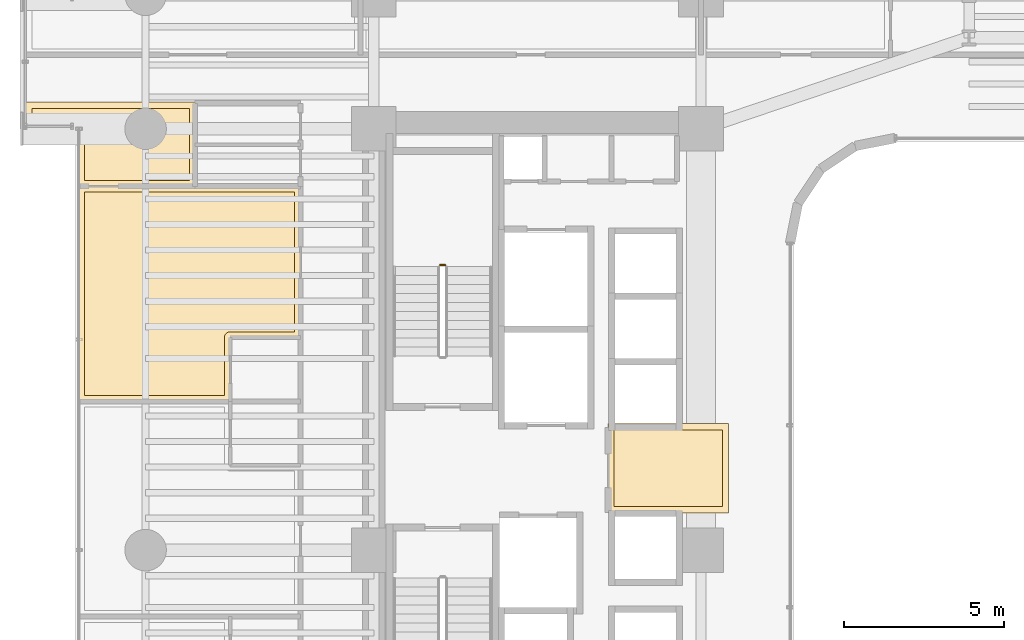
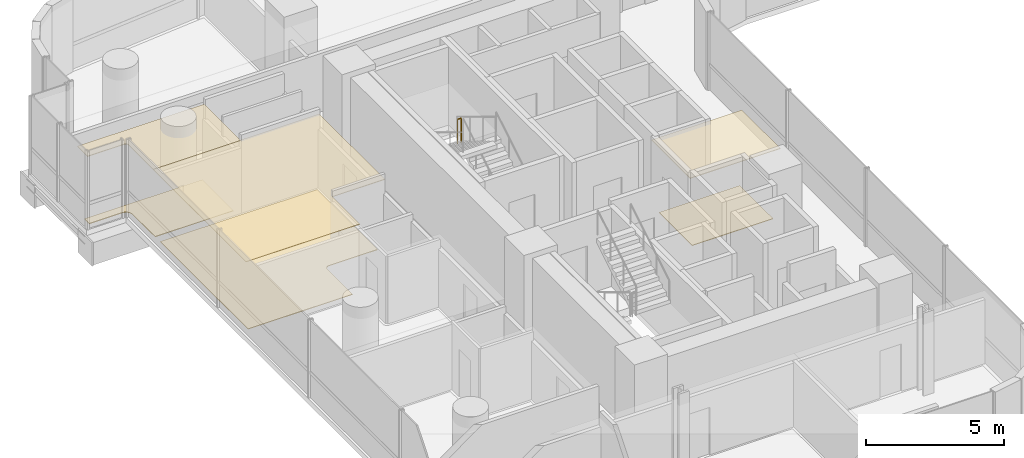
# One storey, part 38 of 41: 6 coverings, 1 railing.
"""IFC4 building model written with IfcOpenShell, lengths in metres."""

import ifcopenshell
import ifcopenshell.guid

model = None  # the IFC model being written
_history = None  # IfcOwnerHistory: only IFC2X3 demands one
_inside = {}  # id of a spatial element -> (the spatial element, [elements in it])
_under = {}  # id of a project, library or spatial element -> (it, [spatial elements below it])
_declared = {}  # id of a project -> (the project, [libraries it declares])
_typed = {}  # id of a type object -> (the type object, [elements of that type])
_made_of = {}  # id of a material, layer set ... -> (it, [elements and type objects made of it])


def new_model(schema):
    """Start an empty IFC model of exactly this schema.

    Asked for "IFC4X3", IfcOpenShell would pick the latest addendum, in which some entities
    have other attributes; the version numbers below select the first issue.
    IFC2X3 requires an IfcOwnerHistory on every rooted entity: one is made here for all.
    """
    global model, _history
    if schema == "IFC4X3":
        model = ifcopenshell.file(schema_version=(4, 3, 0, 0))
    else:
        model = ifcopenshell.file(schema=schema)
    _inside.clear()
    _under.clear()
    _declared.clear()
    _typed.clear()
    _made_of.clear()
    _history = None
    if model.schema == "IFC2X3":
        org = make("IfcOrganization", Name="unknown")
        user = make(
            "IfcPersonAndOrganization",
            ThePerson=make("IfcPerson", FamilyName="unknown"),
            TheOrganization=org,
        )
        app = make(
            "IfcApplication",
            ApplicationDeveloper=org,
            Version="unknown",
            ApplicationFullName="unknown",
            ApplicationIdentifier="unknown",
        )
        _history = make(
            "IfcOwnerHistory",
            OwningUser=user,
            OwningApplication=app,
            ChangeAction="ADDED",
            CreationDate=0,
        )
    return model


def make(cls, **values):
    """One entity of the class cls with the attributes given. An attribute that is None is left unset."""
    return model.create_entity(
        cls, **{name: value for name, value in values.items() if value is not None}
    )


def rooted(cls, **values):
    """An entity with a GlobalId (a new one), such as an element, a storey or a relation."""
    return make(cls, GlobalId=ifcopenshell.guid.new(), OwnerHistory=_history, **values)


def si_unit(unit_type, name, prefix=None):
    """IfcSIUnit, for example si_unit("LENGTHUNIT", "METRE", prefix="MILLI")."""
    return make("IfcSIUnit", UnitType=unit_type, Prefix=prefix, Name=name)


def assignment(units):
    """IfcUnitAssignment: the units of a project."""
    return None if units is None else make("IfcUnitAssignment", Units=units)


def point(xyz):
    """IfcCartesianPoint."""
    return None if xyz is None else make("IfcCartesianPoint", Coordinates=xyz)


def direction(xyz):
    """IfcDirection."""
    return None if xyz is None else make("IfcDirection", DirectionRatios=xyz)


def frame(location, z_axis=None, x_axis=None):
    """IfcAxis2Placement3D, a coordinate frame: its origin and axes. An axis left out is left unset."""
    return make(
        "IfcAxis2Placement3D",
        Location=point(location),
        Axis=direction(z_axis),
        RefDirection=direction(x_axis),
    )


def frame_2d(location, x_axis=None):
    """IfcAxis2Placement2D, a coordinate frame in the plane: its origin and x axis."""
    return make(
        "IfcAxis2Placement2D", Location=point(location), RefDirection=direction(x_axis)
    )


def origin():
    """The frame at (0, 0, 0) with its axes left unset."""
    return frame((0.0, 0.0, 0.0))


def origin_2d():
    """The frame at (0, 0) in the plane with its x axis left unset."""
    return frame_2d((0.0, 0.0))


def place(relative_to, where):
    """IfcLocalPlacement: puts the frame where relative to a parent placement (None: the world)."""
    return make(
        "IfcLocalPlacement", PlacementRelTo=relative_to, RelativePlacement=where
    )


def context(
    kind, dimensions, precision=None, world=None, true_north=None, identifier=None
):
    """IfcGeometricRepresentationContext, for example the 3D "Model" context."""
    return make(
        "IfcGeometricRepresentationContext",
        ContextIdentifier=identifier,
        ContextType=kind,
        CoordinateSpaceDimension=dimensions,
        Precision=precision,
        WorldCoordinateSystem=world,
        TrueNorth=true_north,
    )


def subcontext(parent, identifier, kind, view, scale=None):
    """IfcGeometricRepresentationSubContext, for example "Body" below "Model"."""
    return make(
        "IfcGeometricRepresentationSubContext",
        ContextIdentifier=identifier,
        ContextType=kind,
        ParentContext=parent,
        TargetScale=scale,
        TargetView=view,
    )


def project(units=None, contexts=None):
    """IfcProject with its units and contexts."""
    return rooted(
        "IfcProject",
        Name="project",
        RepresentationContexts=contexts,
        UnitsInContext=assignment(units),
    )


def spatial(cls, under=None, at=None, **own):
    """A site, building, storey or space (cls), placed at a placement, below another one or the project."""
    s = rooted(cls, ObjectPlacement=at, **own)
    if under is not None:
        _under.setdefault(under.id(), (under, []))[1].append(s)
    return s


def polyline(points):
    """IfcPolyline through the points."""
    return make("IfcPolyline", Points=[point(p) for p in points])


def profile(cls, at=None, kind="AREA", **sizes):
    """A parametric profile (cls). Its sizes go by their IFC names, for example OverallWidth=200.0."""
    return make(cls, ProfileType=kind, Position=at, **sizes)


def circle(**sizes):
    """IfcCircleProfileDef."""
    return profile("IfcCircleProfileDef", **sizes)


def outline(outer, holes=None, kind="AREA"):
    """IfcArbitraryClosedProfileDef: a profile drawn as a closed curve; with holes, ...WithVoids."""
    if holes is None:
        return make("IfcArbitraryClosedProfileDef", ProfileType=kind, OuterCurve=outer)
    return make(
        "IfcArbitraryProfileDefWithVoids",
        ProfileType=kind,
        OuterCurve=outer,
        InnerCurves=holes,
    )


def extrude(swept, where, along, depth):
    """IfcExtrudedAreaSolid: the profile swept, set in the frame where, extruded along a direction by depth."""
    return make(
        "IfcExtrudedAreaSolid",
        SweptArea=swept,
        Position=where,
        ExtrudedDirection=direction(along),
        Depth=depth,
    )


def shape(context_of_items, identifier, shape_type, items):
    """IfcShapeRepresentation: the items that make up one representation, for example the "Body"."""
    return make(
        "IfcShapeRepresentation",
        ContextOfItems=context_of_items,
        RepresentationIdentifier=identifier,
        RepresentationType=shape_type,
        Items=items,
    )


def material(Name=None, Category=None):
    """IfcMaterial."""
    return make("IfcMaterial", Name=Name, Category=Category)


def layer(
    of_material, thickness, ventilated=None, Name=None, Category=None, Priority=None
):
    """IfcMaterialLayer: one layer of a wall or slab, of a material (None: an air gap)."""
    return make(
        "IfcMaterialLayer",
        Material=of_material,
        LayerThickness=thickness,
        IsVentilated=ventilated,
        Name=Name,
        Category=Category,
        Priority=Priority,
    )


def layer_set(layers, Name=None):
    """IfcMaterialLayerSet."""
    return make("IfcMaterialLayerSet", MaterialLayers=layers, LayerSetName=Name)


def made_of(thing, what):
    """Note that an element or type object is made of a material, layer set ...; save() writes the relation."""
    if what is not None:
        _made_of.setdefault(what.id(), (what, []))[1].append(thing)
    return thing


def type_object(cls, material=None, **own):
    """A type object (cls), such as IfcWallType, which elements share."""
    return made_of(rooted(cls, **own), material)


def element(
    cls,
    number,
    at=None,
    inside=None,
    cuts=None,
    type_object=None,
    material=None,
    context=None,
    identifier="Body",
    shape_type=None,
    held_by="IfcProductDefinitionShape",
    body=None,
    shapes=None,
    **own,
):
    """One element of the class cls, such as IfcWall. Its Tag is "e" and its number.

    at: its placement. inside: the storey or other place that contains it. cuts: it is an
    opening in that element (IfcRelVoidsElement). A single representation is given by context,
    identifier, shape_type and body (its items); several are given by shapes. held_by: the class
    of the entity that holds the representations. save() writes the other relations.
    """
    e = rooted(cls, Tag="e%d" % number, ObjectPlacement=at, **own)
    if body is not None:
        shapes = [shape(context, identifier, shape_type, body)]
    if shapes is not None:
        e.Representation = make(held_by, Representations=shapes)
    if inside is not None:
        _inside.setdefault(inside.id(), (inside, []))[1].append(e)
    if cuts is not None:
        rooted(
            "IfcRelVoidsElement", RelatingBuildingElement=cuts, RelatedOpeningElement=e
        )
    if type_object is not None:
        _typed.setdefault(type_object.id(), (type_object, []))[1].append(e)
    return made_of(e, material)


def aggregate(whole, parts):
    """IfcRelAggregates: a whole, such as a stair, and the parts it consists of."""
    return rooted("IfcRelAggregates", RelatingObject=whole, RelatedObjects=parts)


def save(model, path):
    """Write the relations noted so far, then the file.

    IfcRelAggregates (storeys below a building ...), IfcRelContainedInSpatialStructure (elements
    in a storey), IfcRelDefinesByType, IfcRelAssociatesMaterial and IfcRelDeclares: one each for
    every whole, place, type object, material and project.
    """
    for whole, parts in _under.values():
        aggregate(whole, parts)
    for where, things in _inside.values():
        rooted(
            "IfcRelContainedInSpatialStructure",
            RelatedElements=things,
            RelatingStructure=where,
        )
    for kind, things in _typed.values():
        rooted("IfcRelDefinesByType", RelatedObjects=things, RelatingType=kind)
    for what, things in _made_of.values():
        rooted("IfcRelAssociatesMaterial", RelatedObjects=things, RelatingMaterial=what)
    for by, libraries in _declared.values():
        rooted("IfcRelDeclares", RelatingContext=by, RelatedDefinitions=libraries)
    model.write(path)


model = new_model("IFC4")

# Units and contexts
model_context = context("Model", 3, precision=1e-05, world=origin(), true_north=direction((0.0, 1.0)))
body_context = subcontext(model_context, "Body", "Model", "MODEL_VIEW")
ifc_project = project(units=[si_unit("LENGTHUNIT", "METRE"), si_unit("AREAUNIT", "SQUARE_METRE"), si_unit("VOLUMEUNIT", "CUBIC_METRE"), si_unit("PLANEANGLEUNIT", "RADIAN"), si_unit("MASSUNIT", "GRAM", prefix="KILO")], contexts=[model_context])

# Site, building, storey
site_placement = place(None, origin())
site = spatial("IfcSite", under=ifc_project, at=site_placement, CompositionType="ELEMENT")
building_placement = place(site_placement, origin())
building = spatial("IfcBuilding", under=site, at=building_placement, Name="Valdorenza Pilgrim Sanctuary Tower", CompositionType="ELEMENT")
storey_placement = place(building_placement, frame((0.0, 0.0, 85.199951171875)))
storey = spatial("IfcBuildingStorey", under=building, at=storey_placement, Name="L21", CompositionType="ELEMENT", Elevation=85.199951171875)

# Coverings
ifc_material_1 = material(Name="Micro-perforated acoustic mineral ceiling tile", Category="gypsum")
ifc_layer_1 = layer(ifc_material_1, 0.02490234375, Name="Micro-perforated acoustic mineral ceiling tile")
ifc_layer_set_1 = layer_set([ifc_layer_1], Name="Micro-perforated acoustic mineral ceiling tile")
covering_type_1 = type_object("IfcCoveringType", Name="COV-CLG-ACU", PredefinedType="CEILING", material=ifc_layer_set_1)
covering_1_placement = place(storey_placement, frame((0.0, 0.0, 3.16015625)))
element("IfcCovering", 1, at=covering_1_placement, inside=storey, type_object=covering_type_1, Name="L21 Core A Passenger Lift Lobby Acoustic Ceiling", PredefinedType="CEILING", context=body_context, shape_type="SweptSolid", body=[
    extrude(outline(polyline([(-15.31298828125, 1.244384765625), (-15.31298828125, 1.24462890625), (-15.313720703125, 1.24609375), (-15.314208984375, 1.24755859375), (-15.314697265625, 1.2490234375), (-15.31494140625, 1.25048828125), (-15.31494140625, 1.251953125), (-15.31494140625, 1.35009765625), (-15.31494140625, 1.3515625), (-15.314697265625, 1.352783203125), (-15.314453125, 1.3544921875), (-15.31396484375, 1.355712890625), (-15.313232421875, 1.357177734375), (-15.3125, 1.3583984375), (-15.3115234375, 1.359619140625), (-15.310546875, 1.360595703125), (-15.3095703125, 1.361572265625), (-15.308349609375, 1.362548828125), (-15.30712890625, 1.36328125), (-15.3056640625, 1.364013671875), (-15.304443359375, 1.364501953125), (-15.302978515625, 1.36474609375), (-15.301513671875, 1.364990234375), (-15.300048828125, 1.364990234375), (-15.10205078125, 1.364990234375), (-15.1005859375, 1.364990234375), (-15.09912109375, 1.36474609375), (-15.097412109375, 1.3642578125), (-15.09619140625, 1.36376953125), (-15.0947265625, 1.363037109375), (-15.094482421875, 1.363037109375), (-13.185546875, 1.363037109375), (-13.185302734375, 1.363037109375), (-13.183837890625, 1.36376953125), (-13.1826171875, 1.3642578125), (-13.180908203125, 1.36474609375), (-13.179443359375, 1.364990234375), (-13.177978515625, 1.364990234375), (-11.550048828125, 1.364990234375), (-11.548583984375, 1.364990234375), (-11.547119140625, 1.36474609375), (-11.545654296875, 1.364501953125), (-11.544189453125, 1.364013671875), (-11.54296875, 1.36328125), (-11.541748046875, 1.362548828125), (-11.54052734375, 1.361572265625), (-11.539306640625, 1.360595703125), (-11.538330078125, 1.359619140625), (-11.53759765625, 1.3583984375), (-11.536865234375, 1.357177734375), (-11.5361328125, 1.355712890625), (-11.53564453125, 1.3544921875), (-11.535400390625, 1.352783203125), (-11.53515625, 1.3515625), (-11.534912109375, 1.35009765625), (-11.534912109375, -1.419921875), (-11.53515625, -1.42138671875), (-11.535400390625, -1.4228515625), (-11.53564453125, -1.42431640625), (-11.5361328125, -1.42578125), (-11.536865234375, -1.427001953125), (-11.53759765625, -1.42822265625), (-11.538330078125, -1.429443359375), (-11.539306640625, -1.4306640625), (-11.54052734375, -1.431640625), (-11.541748046875, -1.4326171875), (-11.54296875, -1.43310546875), (-11.544189453125, -1.433837890625), (-11.545654296875, -1.434326171875), (-11.547119140625, -1.434814453125), (-11.548583984375, -1.434814453125), (-11.550048828125, -1.43505859375), (-15.298095703125, -1.43505859375), (-15.299560546875, -1.434814453125), (-15.30078125, -1.434814453125), (-15.302490234375, -1.434326171875), (-15.3037109375, -1.433837890625), (-15.30517578125, -1.43310546875), (-15.306396484375, -1.4326171875), (-15.3076171875, -1.431640625), (-15.30859375, -1.4306640625), (-15.3095703125, -1.429443359375), (-15.310546875, -1.42822265625), (-15.311279296875, -1.427001953125), (-15.31201171875, -1.42578125), (-15.3125, -1.42431640625), (-15.312744140625, -1.4228515625), (-15.31298828125, -1.42138671875), (-15.31298828125, -1.419921875), (-15.31298828125, 1.244384765625)])), origin(), (0.0, 0.0, 1.0), 0.02490234375),
])
covering_2_placement = place(storey_placement, frame((0.0, 0.0, 3.16015625)))
element("IfcCovering", 2, at=covering_2_placement, inside=storey, type_object=covering_type_1, Name="L21 Pilgrim Scholar Office L21-WN Acoustic Ceiling", PredefinedType="CEILING", context=body_context, shape_type="SweptSolid", body=[
    extrude(outline(polyline([(-28.237060546875, 11.39453125), (-28.237060546875, 10.103759765625), (-28.23681640625, 10.10302734375), (-28.23681640625, 10.1015625), (-28.23681640625, 10.10009765625), (-28.23681640625, 10.098388671875), (-28.237060546875, 10.09814453125), (-28.237060546875, 8.800048828125), (-28.237060546875, 8.798583984375), (-28.2373046875, 8.797119140625), (-28.237548828125, 8.795654296875), (-28.238037109375, 8.794189453125), (-28.23876953125, 8.79296875), (-28.239501953125, 8.791748046875), (-28.240478515625, 8.79052734375), (-28.241455078125, 8.789306640625), (-28.242431640625, 8.788330078125), (-28.24365234375, 8.78759765625), (-28.244873046875, 8.786865234375), (-28.246337890625, 8.7861328125), (-28.24755859375, 8.78564453125), (-28.2490234375, 8.785400390625), (-28.25048828125, 8.78515625), (-28.251953125, 8.784912109375), (-31.889892578125, 8.784912109375), (-31.8916015625, 8.78515625), (-31.892822265625, 8.785400390625), (-31.894287109375, 8.78564453125), (-31.895751953125, 8.7861328125), (-31.897216796875, 8.786865234375), (-31.898193359375, 8.78759765625), (-31.8994140625, 8.788330078125), (-31.900634765625, 8.789306640625), (-31.901611328125, 8.79052734375), (-31.902587890625, 8.791748046875), (-31.9033203125, 8.79296875), (-31.90380859375, 8.794189453125), (-31.904296875, 8.795654296875), (-31.90478515625, 8.797119140625), (-31.90478515625, 8.798583984375), (-31.905029296875, 8.800048828125), (-31.905029296875, 10.599609375), (-31.905517578125, 10.609375), (-31.90673828125, 10.618408203125), (-31.9091796875, 10.627685546875), (-31.912109375, 10.63623046875), (-31.916259765625, 10.644775390625), (-31.9208984375, 10.65283203125), (-31.926513671875, 10.660400390625), (-31.932861328125, 10.667236328125), (-31.939697265625, 10.67333984375), (-31.947265625, 10.678955078125), (-31.955078125, 10.683837890625), (-31.963623046875, 10.687744140625), (-31.972412109375, 10.69091796875), (-31.9814453125, 10.693115234375), (-31.99072265625, 10.694580078125), (-32.00048828125, 10.695068359375), (-33.5400390625, 10.695068359375), (-33.54150390625, 10.695068359375), (-33.54296875, 10.6953125), (-33.54443359375, 10.695556640625), (-33.545654296875, 10.696044921875), (-33.547119140625, 10.69677734375), (-33.54833984375, 10.697509765625), (-33.549560546875, 10.698486328125), (-33.550537109375, 10.699462890625), (-33.551513671875, 10.700439453125), (-33.552490234375, 10.70166015625), (-33.55322265625, 10.702880859375), (-33.553955078125, 10.704345703125), (-33.554443359375, 10.70556640625), (-33.5546875, 10.70703125), (-33.554931640625, 10.70849609375), (-33.554931640625, 10.7099609375), (-33.554931640625, 11.419921875), (-33.554931640625, 11.42138671875), (-33.5546875, 11.4228515625), (-33.554443359375, 11.42431640625), (-33.553955078125, 11.42578125), (-33.55322265625, 11.427001953125), (-33.552490234375, 11.42822265625), (-33.551513671875, 11.429443359375), (-33.550537109375, 11.4306640625), (-33.549560546875, 11.431640625), (-33.54833984375, 11.4326171875), (-33.547119140625, 11.43310546875), (-33.545654296875, 11.433837890625), (-33.54443359375, 11.434326171875), (-33.54296875, 11.434814453125), (-33.54150390625, 11.434814453125), (-33.5400390625, 11.43505859375), (-28.25, 11.43505859375), (-28.24853515625, 11.434814453125), (-28.2470703125, 11.434814453125), (-28.24560546875, 11.434326171875), (-28.244384765625, 11.433837890625), (-28.242919921875, 11.43310546875), (-28.24169921875, 11.4326171875), (-28.240478515625, 11.431640625), (-28.239501953125, 11.4306640625), (-28.23828125, 11.429443359375), (-28.237548828125, 11.42822265625), (-28.23681640625, 11.427001953125), (-28.236083984375, 11.42578125), (-28.235595703125, 11.42431640625), (-28.2353515625, 11.4228515625), (-28.235107421875, 11.42138671875), (-28.235107421875, 11.419921875), (-28.235107421875, 11.402099609375), (-28.235107421875, 11.400390625), (-28.2353515625, 11.39892578125), (-28.235595703125, 11.3974609375), (-28.236083984375, 11.39599609375), (-28.23681640625, 11.394775390625), (-28.237060546875, 11.39453125)])), origin(), (0.0, 0.0, 1.0), 0.02490234375),
])
covering_3_placement = place(storey_placement, frame((0.0, 0.0, 3.16015625)))
element("IfcCovering", 3, at=covering_3_placement, inside=storey, type_object=covering_type_1, Name="L21 Sanctuary Guest Room L21-W3 Acoustic Ceiling", PredefinedType="CEILING", context=body_context, shape_type="SweptSolid", body=[
    extrude(outline(polyline([(-28.253662109375, 8.81298828125), (-28.253173828125, 8.81298828125), (-28.25146484375, 8.813232421875), (-28.25, 8.813232421875), (-28.24853515625, 8.81298828125), (-28.248291015625, 8.81298828125), (-24.949951171875, 8.81298828125), (-24.948486328125, 8.81298828125), (-24.947021484375, 8.812744140625), (-24.945556640625, 8.8125), (-24.9443359375, 8.81201171875), (-24.94287109375, 8.811279296875), (-24.941650390625, 8.810546875), (-24.9404296875, 8.8095703125), (-24.939453125, 8.80859375), (-24.9384765625, 8.8076171875), (-24.9375, 8.806396484375), (-24.936767578125, 8.80517578125), (-24.93603515625, 8.8037109375), (-24.935546875, 8.802490234375), (-24.935302734375, 8.80078125), (-24.93505859375, 8.799560546875), (-24.93505859375, 8.798095703125), (-24.93505859375, 4.06201171875), (-24.93505859375, 4.060546875), (-24.935302734375, 4.05908203125), (-24.935546875, 4.0576171875), (-24.93603515625, 4.056396484375), (-24.936767578125, 4.054931640625), (-24.9375, 4.0537109375), (-24.9384765625, 4.052490234375), (-24.939453125, 4.051513671875), (-24.9404296875, 4.05029296875), (-24.941650390625, 4.049560546875), (-24.94287109375, 4.048828125), (-24.9443359375, 4.048095703125), (-24.945556640625, 4.047607421875), (-24.947021484375, 4.04736328125), (-24.948486328125, 4.047119140625), (-24.949951171875, 4.047119140625), (-27.136962890625, 4.047119140625), (-27.136962890625, 2.06201171875), (-27.13720703125, 2.060546875), (-27.13720703125, 2.05908203125), (-27.1376953125, 2.0576171875), (-27.13818359375, 2.056396484375), (-27.138916015625, 2.054931640625), (-27.139404296875, 2.0537109375), (-27.140380859375, 2.052490234375), (-27.141357421875, 2.051513671875), (-27.142578125, 2.05029296875), (-27.143798828125, 2.049560546875), (-27.14501953125, 2.048828125), (-27.146240234375, 2.048095703125), (-27.147705078125, 2.047607421875), (-27.149169921875, 2.04736328125), (-27.150390625, 2.047119140625), (-27.152099609375, 2.047119140625), (-31.889892578125, 2.047119140625), (-31.8916015625, 2.047119140625), (-31.892822265625, 2.04736328125), (-31.894287109375, 2.047607421875), (-31.895751953125, 2.048095703125), (-31.897216796875, 2.048828125), (-31.898193359375, 2.049560546875), (-31.8994140625, 2.05029296875), (-31.900634765625, 2.051513671875), (-31.901611328125, 2.052490234375), (-31.902587890625, 2.0537109375), (-31.9033203125, 2.054931640625), (-31.90380859375, 2.056396484375), (-31.904296875, 2.0576171875), (-31.90478515625, 2.05908203125), (-31.90478515625, 2.060546875), (-31.905029296875, 2.06201171875), (-31.905029296875, 8.798095703125), (-31.90478515625, 8.799560546875), (-31.90478515625, 8.80078125), (-31.904296875, 8.802490234375), (-31.90380859375, 8.8037109375), (-31.9033203125, 8.80517578125), (-31.902587890625, 8.806396484375), (-31.901611328125, 8.8076171875), (-31.900634765625, 8.80859375), (-31.8994140625, 8.8095703125), (-31.898193359375, 8.810546875), (-31.897216796875, 8.811279296875), (-31.895751953125, 8.81201171875), (-31.894287109375, 8.8125), (-31.892822265625, 8.812744140625), (-31.8916015625, 8.81298828125), (-31.889892578125, 8.81298828125), (-28.253662109375, 8.81298828125)])), origin(), (0.0, 0.0, 1.0), 0.02490234375),
])
ifc_material_2 = material(Name="Engineered European oak timber flooring", Category="wood")
ifc_layer_2 = layer(ifc_material_2, 0.02197265625, Name="Engineered European oak timber flooring")
ifc_layer_set_2 = layer_set([ifc_layer_2], Name="Engineered European oak timber flooring")
covering_type_2 = type_object("IfcCoveringType", Name="COV-FLR-OAK", PredefinedType="FLOORING", material=ifc_layer_set_2)
covering_4_placement = place(storey_placement, origin())
element("IfcCovering", 4, at=covering_4_placement, inside=storey, type_object=covering_type_2, Name="L21 Sanctuary Guest Room L21-W3 Flooring", PredefinedType="FLOORING", context=body_context, shape_type="SweptSolid", body=[
    extrude(outline(polyline([(-28.250244140625, 8.617919921875), (-28.25, 8.617919921875), (-25.1298828125, 8.617919921875), (-25.1298828125, 4.241943359375), (-27.14990234375, 4.241943359375), (-27.15869140625, 4.24169921875), (-27.158935546875, 4.24169921875), (-27.176513671875, 4.239990234375), (-27.1767578125, 4.239990234375), (-27.194091796875, 4.236572265625), (-27.1943359375, 4.236572265625), (-27.211181640625, 4.2314453125), (-27.21142578125, 4.231201171875), (-27.227783203125, 4.224609375), (-27.227783203125, 4.224609375), (-27.243408203125, 4.21630859375), (-27.24365234375, 4.216064453125), (-27.25830078125, 4.206298828125), (-27.258544921875, 4.2060546875), (-27.272216796875, 4.19482421875), (-27.272216796875, 4.19482421875), (-27.284912109375, 4.182373046875), (-27.284912109375, 4.18212890625), (-27.296142578125, 4.16845703125), (-27.296142578125, 4.168212890625), (-27.30615234375, 4.153564453125), (-27.30615234375, 4.153564453125), (-27.314453125, 4.137939453125), (-27.314697265625, 4.1376953125), (-27.3212890625, 4.121337890625), (-27.3212890625, 4.12109375), (-27.326416015625, 4.104248046875), (-27.32666015625, 4.10400390625), (-27.330078125, 4.0869140625), (-27.330078125, 4.086669921875), (-27.331787109375, 4.069091796875), (-27.331787109375, 4.06884765625), (-27.33203125, 4.06005859375), (-27.33203125, 2.241943359375), (-31.7099609375, 2.241943359375), (-31.7099609375, 8.617919921875), (-28.251953125, 8.617919921875), (-28.2509765625, 8.617919921875), (-28.250244140625, 8.617919921875)])), origin(), (0.0, 0.0, 1.0), 0.025146484375),
])
ifc_material_3 = material(Name="Honed travertine stone flooring", Category="masonry")
ifc_layer_3 = layer(ifc_material_3, 0.030029296875, Name="Honed travertine stone flooring")
ifc_layer_set_3 = layer_set([ifc_layer_3], Name="Honed travertine stone flooring")
covering_type_3 = type_object("IfcCoveringType", Name="COV-FLR-TRV", PredefinedType="FLOORING", material=ifc_layer_set_3)
covering_5_placement = place(storey_placement, origin())
element("IfcCovering", 5, at=covering_5_placement, inside=storey, type_object=covering_type_3, Name="L21 Core A Passenger Lift Lobby Flooring", PredefinedType="FLOORING", context=body_context, shape_type="SweptSolid", body=[
    extrude(outline(polyline([(-15.117919921875, 1.169189453125), (-15.10888671875, 1.168212890625), (-15.10888671875, 1.168212890625), (-15.10009765625, 1.16796875), (-13.179931640625, 1.16796875), (-13.1796875, 1.16796875), (-11.72998046875, 1.169921875), (-11.72998046875, -1.239990234375), (-15.117919921875, -1.239990234375), (-15.117919921875, 1.169189453125)])), origin(), (0.0, 0.0, 1.0), 0.025146484375),
])
covering_6_placement = place(storey_placement, origin())
element("IfcCovering", 6, at=covering_6_placement, inside=storey, type_object=covering_type_3, Name="L21 Pilgrim Scholar Office L21-WN Flooring", PredefinedType="FLOORING", context=body_context, shape_type="SweptSolid", body=[
    extrude(outline(polyline([(-28.431884765625, 11.239990234375), (-28.431884765625, 10.10205078125), (-28.431884765625, 10.10107421875), (-28.431884765625, 10.100341796875), (-28.431884765625, 10.10009765625), (-28.431884765625, 8.97998046875), (-31.7099609375, 8.97998046875), (-31.7099609375, 10.60009765625), (-31.710205078125, 10.60888671875), (-31.710693359375, 10.61962890625), (-31.71240234375, 10.63720703125), (-31.714111328125, 10.64794921875), (-31.717529296875, 10.665283203125), (-31.72021484375, 10.67578125), (-31.725341796875, 10.692626953125), (-31.72900390625, 10.70263671875), (-31.735595703125, 10.718994140625), (-31.740234375, 10.728759765625), (-31.74853515625, 10.744384765625), (-31.754150390625, 10.753662109375), (-31.763916015625, 10.768310546875), (-31.7705078125, 10.777099609375), (-31.781494140625, 10.790771484375), (-31.788818359375, 10.798583984375), (-31.80126953125, 10.811279296875), (-31.809326171875, 10.818359375), (-31.822998046875, 10.82958984375), (-31.831787109375, 10.8359375), (-31.84619140625, 10.845947265625), (-31.855712890625, 10.851318359375), (-31.87109375, 10.859619140625), (-31.880859375, 10.8642578125), (-31.897216796875, 10.87109375), (-31.907470703125, 10.874755859375), (-31.92431640625, 10.8798828125), (-31.934814453125, 10.882568359375), (-31.9521484375, 10.885986328125), (-31.962890625, 10.887451171875), (-31.98046875, 10.889404296875), (-31.9912109375, 10.889892578125), (-32.0, 10.889892578125), (-33.360107421875, 10.889892578125), (-33.360107421875, 11.239990234375), (-28.431884765625, 11.239990234375)])), origin(), (0.0, 0.0, 1.0), 0.025146484375),
])

# Railing
ifc_material_4 = material(Name="Stainless steel Grade 316", Category="steel")
railing_type = type_object("IfcRailingType", Name="RLG-GRD-1120", PredefinedType="GUARDRAIL", material=ifc_material_4)
railing_placement = place(storey_placement, frame((-20.419921875, 6.330078125, 1.85009765625)))
element("IfcRailing", 7, at=railing_placement, inside=storey, type_object=railing_type, Name="L21 ST-A1 stair guard 2", PredefinedType="GUARDRAIL", context=body_context, shape_type="SweptSolid", body=[
    extrude(circle(Radius=0.02392578125, at=origin_2d()), frame((0.0, 0.0, 1.076171875), z_axis=(-1.0, 0.0, 0.0), x_axis=(0.0, -1.0, 0.0)), (0.0, 0.0, 1.0), 0.150146484375),
    extrude(circle(Radius=0.02099609375, at=origin_2d()), origin(), (0.0, 0.0, 1.0), 1.052001953125),
    extrude(circle(Radius=0.02099609375, at=origin_2d()), frame((-0.150146484375, 0.0, 0.0)), (0.0, 0.0, 1.0), 1.052001953125),
])

save(model, "model.ifc")
